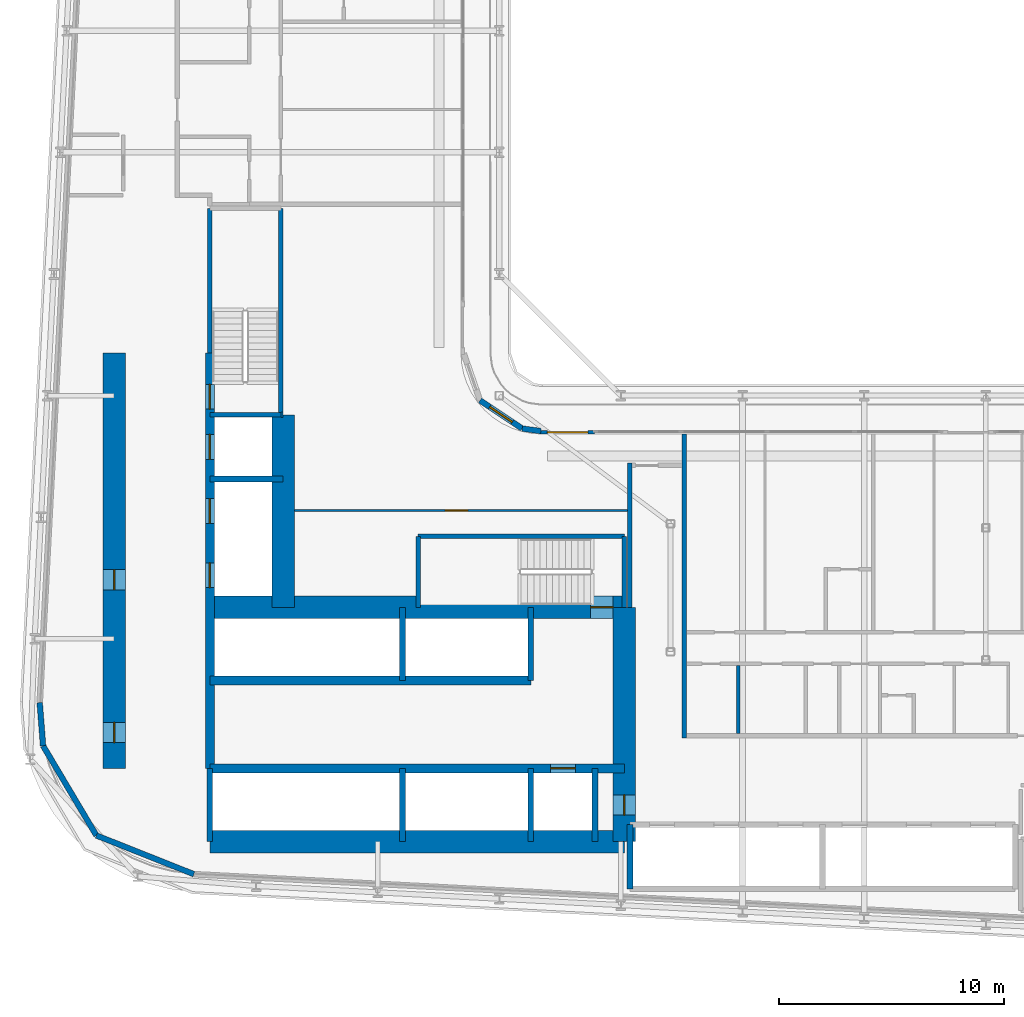
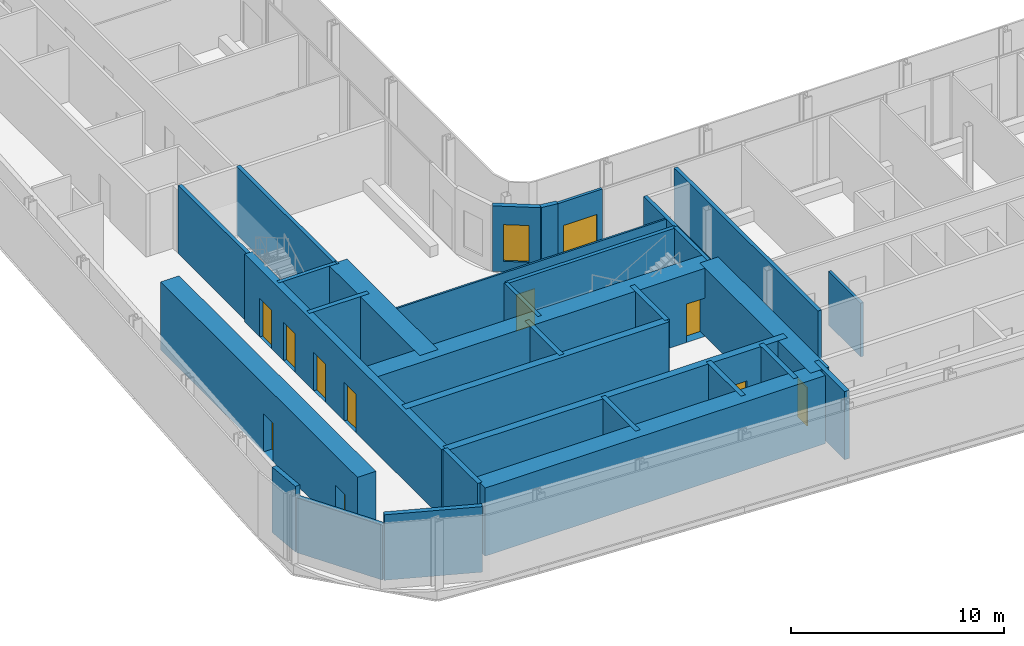
# One storey, part 14 of 29: 33 walls, 11 doors, 1 window, 12 openings.
"""IFC4 building model written with IfcOpenShell, lengths in metres."""

from ifc_helpers import new_model, si_unit, direction, frame, frame_2d, origin, place, context, subcontext, project, spatial, rectangle, extrude, source, transform, mapped, material, layer, layer_set, type_object, element, fill, save


model = new_model("IFC4")

# Units and contexts
model_context = context("Model", 3, precision=1e-05, world=origin(), true_north=direction((0.0, 1.0)))
body_context = subcontext(model_context, "Body", "Model", "MODEL_VIEW")
ifc_project = project(units=[si_unit("LENGTHUNIT", "METRE"), si_unit("AREAUNIT", "SQUARE_METRE"), si_unit("VOLUMEUNIT", "CUBIC_METRE"), si_unit("PLANEANGLEUNIT", "RADIAN"), si_unit("MASSUNIT", "GRAM", prefix="KILO")], contexts=[model_context])

# Site, building, storey
site_placement = place(None, origin())
site = spatial("IfcSite", under=ifc_project, at=site_placement, CompositionType="ELEMENT")
building_placement = place(site_placement, origin())
building = spatial("IfcBuilding", under=site, at=building_placement, Name="Kheshtan School and Residences Tower", CompositionType="ELEMENT")
storey_placement = place(building_placement, frame((0.0, 0.0, 69.5)))
storey = spatial("IfcBuildingStorey", under=building, at=storey_placement, Name="L16", CompositionType="ELEMENT", Elevation=69.5)

# Wall
ifc_material_1 = material(Name="Concrete C80/95", Category="concrete")
ifc_layer_1 = layer(ifc_material_1, 1.0)
ifc_layer_set_1 = layer_set([ifc_layer_1], Name="Core wall 1000 Concrete C80/95")
wall_type_1 = type_object("IfcWallType", Name="Core wall 1000 Concrete C80/95", PredefinedType="SHEAR", material=ifc_layer_set_1)
wall_1_placement = place(storey_placement, frame((34.75, 25.800048828125, 0.0), z_axis=(0.0, 0.0, 1.0), x_axis=(1.0, 0.0, 0.0)))
element("IfcWall", 1, at=wall_1_placement, inside=storey, type_object=wall_type_1, Name="Core wall CW-REAR-S", PredefinedType="SHEAR", context=body_context, shape_type="SweptSolid", body=[
    extrude(rectangle(XDim=18.39990234375, YDim=1.0, at=frame_2d((9.199951171875, 0.0))), origin(), (0.0, 0.0, 1.0), 3.89990234375),
])

# Wall, opening, door
wall_2_placement = place(storey_placement, frame((34.75, 36.199951171875, 0.0), z_axis=(0.0, 0.0, 1.0), x_axis=(1.0, 0.0, 0.0)))
wall_2 = element("IfcWall", 2, at=wall_2_placement, inside=storey, type_object=wall_type_1, Name="Core wall CW-FRONT-S", PredefinedType="SHEAR", context=body_context, shape_type="SweptSolid", body=[
    extrude(rectangle(XDim=18.39990234375, YDim=1.0, at=frame_2d((9.199951171875, 0.0))), origin(), (0.0, 0.0, 1.0), 3.89990234375),
])
opening_1_placement = place(wall_2_placement, frame((16.89990234375, 0.0, 0.0)))
opening_1 = element("IfcOpeningElement", 3, at=opening_1_placement, cuts=wall_2, Name="Opening ST1D", PredefinedType="OPENING", context=body_context, shape_type="SweptSolid", body=[
    extrude(rectangle(XDim=1.0, YDim=2.199951171875, at=frame_2d((0.5, 1.10009765625))), frame((0.0, 0.510009765625, 0.0), z_axis=(0.0, -1.0, 0.0), x_axis=(1.0, 0.0, 0.0)), (0.0, 0.0, 1.0), 1.02001953125),
])
ifc_material_2 = material(Name="Steel door leaf, galvanised", Category="steel")
door_type_1 = type_object("IfcDoorType", Name="Stair door 1100 steel 90 min", OperationType="SINGLE_SWING_LEFT", PredefinedType="DOOR", material=ifc_material_2)
shared_shape_1 = source(origin(), body_context, "Body", "SweptSolid", [
    extrude(rectangle(XDim=1.0, YDim=2.199951171875, at=frame_2d((0.5, 1.10009765625))), frame((0.0, 0.02490234375, 0.0), z_axis=(0.0, -1.0, 0.0), x_axis=(1.0, 0.0, 0.0)), (0.0, 0.0, 1.0), 0.050048828125),
])
door_1_placement = place(opening_1_placement, origin())
door_1 = element("IfcDoor", 4, at=door_1_placement, inside=storey, type_object=door_type_1, Name="Stair ST1 door", OperationType="SINGLE_SWING_RIGHT", OverallHeight=2.199951171875, OverallWidth=1.0, PredefinedType="DOOR", context=body_context, shape_type="MappedRepresentation", body=[
    mapped(shared_shape_1, transform((0.0, 0.0, 0.0), x_axis=(1.0, 0.0, 0.0), y_axis=(0.0, 1.0, 0.0), z_axis=(0.0, 0.0, 1.0), scale=1.0)),
])
fill(opening_1, door_1)

# Wall
wall_3_placement = place(storey_placement, frame((38.0, 36.199951171875, 0.0), z_axis=(0.0, 0.0, 1.0), x_axis=(0.0, 1.0, 0.0)))
element("IfcWall", 5, at=wall_3_placement, inside=storey, type_object=wall_type_1, Name="Core wall CW-FRONT-W", PredefinedType="SHEAR", context=body_context, shape_type="SweptSolid", body=[
    extrude(rectangle(XDim=8.550048828125, YDim=1.0, at=frame_2d((4.27490234375, 0.0))), origin(), (0.0, 0.0, 1.0), 3.89990234375),
])

# Wall, openings, doors
wall_4_placement = place(storey_placement, frame((30.5, 29.050048828125, 0.0), z_axis=(0.0, 0.0, 1.0), x_axis=(0.0, 1.0, 0.0)))
wall_4 = element("IfcWall", 6, at=wall_4_placement, inside=storey, type_object=wall_type_1, Name="Core wall CW-REAR-W", PredefinedType="SHEAR", context=body_context, shape_type="SweptSolid", body=[
    extrude(rectangle(XDim=18.449951171875, YDim=1.0, at=frame_2d((9.22509765625, 0.0))), origin(), (0.0, 0.0, 1.0), 3.89990234375),
])
opening_2_placement = place(wall_4_placement, frame((1.14697265625, 0.0, 0.0)))
opening_2 = element("IfcOpeningElement", 7, at=opening_2_placement, cuts=wall_4, Name="Opening SR90", PredefinedType="OPENING", context=body_context, shape_type="SweptSolid", body=[
    extrude(rectangle(XDim=0.89990234375, YDim=2.199951171875, at=frame_2d((0.449951171875, 1.10009765625))), frame((0.0, 0.510009765625, 0.0), z_axis=(0.0, -1.0, 0.0), x_axis=(1.0, 0.0, 0.0)), (0.0, 0.0, 1.0), 1.02001953125),
])
opening_3_placement = place(wall_4_placement, frame((7.925048828125, 0.0, 0.0)))
opening_3 = element("IfcOpeningElement", 8, at=opening_3_placement, cuts=wall_4, Name="Opening SR90", PredefinedType="OPENING", context=body_context, shape_type="SweptSolid", body=[
    extrude(rectangle(XDim=0.89990234375, YDim=2.199951171875, at=frame_2d((0.449951171875, 1.10009765625))), frame((0.0, 0.510009765625, 0.0), z_axis=(0.0, -1.0, 0.0), x_axis=(1.0, 0.0, 0.0)), (0.0, 0.0, 1.0), 1.02001953125),
])
door_type_2 = type_object("IfcDoorType", Name="Service room door 900 steel 90 min", OperationType="SINGLE_SWING_LEFT", PredefinedType="DOOR", material=ifc_material_2)
shared_shape_2 = source(origin(), body_context, "Body", "SweptSolid", [
    extrude(rectangle(XDim=0.89990234375, YDim=2.199951171875, at=frame_2d((0.449951171875, 1.10009765625))), frame((0.0, 0.02490234375, 0.0), z_axis=(0.0, -1.0, 0.0), x_axis=(1.0, 0.0, 0.0)), (0.0, 0.0, 1.0), 0.050048828125),
])
door_2_placement = place(opening_2_placement, origin())
door_2 = element("IfcDoor", 9, at=door_2_placement, inside=storey, type_object=door_type_2, Name="Service room door", OperationType="SINGLE_SWING_LEFT", OverallHeight=2.199951171875, OverallWidth=0.89990234375, PredefinedType="DOOR", context=body_context, shape_type="MappedRepresentation", body=[
    mapped(shared_shape_2, transform((0.0, 0.0, 0.0), x_axis=(1.0, 0.0, 0.0), y_axis=(0.0, 1.0, 0.0), z_axis=(0.0, 0.0, 1.0), scale=1.0)),
])
fill(opening_2, door_2)
door_3_placement = place(opening_3_placement, origin())
door_3 = element("IfcDoor", 10, at=door_3_placement, inside=storey, type_object=door_type_2, Name="Service room door", OperationType="SINGLE_SWING_LEFT", OverallHeight=2.199951171875, OverallWidth=0.89990234375, PredefinedType="DOOR", context=body_context, shape_type="MappedRepresentation", body=[
    mapped(shared_shape_2, transform((0.0, 0.0, 0.0), x_axis=(1.0, 0.0, 0.0), y_axis=(0.0, 1.0, 0.0), z_axis=(0.0, 0.0, 1.0), scale=1.0)),
])
fill(opening_3, door_3)

# Wall, opening, door
wall_5_placement = place(storey_placement, frame((53.14990234375, 25.800048828125, 0.0), z_axis=(0.0, 0.0, 1.0), x_axis=(0.0, 1.0, 0.0)))
wall_5 = element("IfcWall", 11, at=wall_5_placement, inside=storey, type_object=wall_type_1, Name="Core wall CW-EAST", PredefinedType="SHEAR", context=body_context, shape_type="SweptSolid", body=[
    extrude(rectangle(XDim=10.39990234375, YDim=1.0, at=frame_2d((5.199951171875, 0.0))), origin(), (0.0, 0.0, 1.0), 3.89990234375),
])
opening_4_placement = place(wall_5_placement, frame((1.175048828125, 0.0, 0.0)))
opening_4 = element("IfcOpeningElement", 12, at=opening_4_placement, cuts=wall_5, Name="Opening SR90", PredefinedType="OPENING", context=body_context, shape_type="SweptSolid", body=[
    extrude(rectangle(XDim=0.89990234375, YDim=2.199951171875, at=frame_2d((0.449951171875, 1.10009765625))), frame((0.0, 0.510009765625, 0.0), z_axis=(0.0, -1.0, 0.0), x_axis=(1.0, 0.0, 0.0)), (0.0, 0.0, 1.0), 1.02001953125),
])
door_4_placement = place(opening_4_placement, origin())
door_4 = element("IfcDoor", 13, at=door_4_placement, inside=storey, type_object=door_type_2, Name="Service room door", OperationType="SINGLE_SWING_RIGHT", OverallHeight=2.199951171875, OverallWidth=0.89990234375, PredefinedType="DOOR", context=body_context, shape_type="MappedRepresentation", body=[
    mapped(shared_shape_2, transform((0.0, 0.0, 0.0), x_axis=(1.0, 0.0, 0.0), y_axis=(0.0, 1.0, 0.0), z_axis=(0.0, 0.0, 1.0), scale=1.0)),
])
fill(opening_4, door_4)

ifc_material_3 = material(Name="Concrete C50/60", Category="concrete")
ifc_layer_2 = layer(ifc_material_3, 0.39990234375)
ifc_layer_set_2 = layer_set([ifc_layer_2], Name="Core wall 400 Concrete C50/60")
wall_type_2 = type_object("IfcWallType", Name="Core wall 400 Concrete C50/60", PredefinedType="SHEAR", material=ifc_layer_set_2)
wall_6_placement = place(storey_placement, frame((34.75, 29.050048828125, 0.0), z_axis=(0.0, 0.0, 1.0), x_axis=(1.0, 0.0, 0.0)))
wall_6 = element("IfcWall", 14, at=wall_6_placement, inside=storey, type_object=wall_type_2, Name="Core wall CW-HALL-S1", PredefinedType="SHEAR", context=body_context, shape_type="SweptSolid", body=[
    extrude(rectangle(XDim=18.39990234375, YDim=0.39990234375, at=frame_2d((9.199951171875, 0.0))), origin(), (0.0, 0.0, 1.0), 3.89990234375),
])
opening_5_placement = place(wall_6_placement, frame((15.125, 0.0, 0.0)))
opening_5 = element("IfcOpeningElement", 15, at=opening_5_placement, cuts=wall_6, Name="Opening LD", PredefinedType="OPENING", context=body_context, shape_type="SweptSolid", body=[
    extrude(rectangle(XDim=1.10009765625, YDim=2.199951171875, at=frame_2d((0.550048828125, 1.10009765625))), frame((0.0, 0.2099609375, 0.0), z_axis=(0.0, -1.0, 0.0), x_axis=(1.0, 0.0, 0.0)), (0.0, 0.0, 1.0), 0.419921875),
])
ifc_material_4 = material(Name="Stainless steel door leaves", Category="steel")
door_type_3 = type_object("IfcDoorType", Name="Lift landing door 1100", OperationType="SLIDING_TO_LEFT", PredefinedType="DOOR", material=ifc_material_4)
shared_shape_3 = source(origin(), body_context, "Body", "SweptSolid", [
    extrude(rectangle(XDim=1.10009765625, YDim=2.199951171875, at=frame_2d((0.550048828125, 1.10009765625))), frame((0.0, 0.02490234375, 0.0), z_axis=(0.0, -1.0, 0.0), x_axis=(1.0, 0.0, 0.0)), (0.0, 0.0, 1.0), 0.050048828125),
])
door_5_placement = place(opening_5_placement, origin())
door_5 = element("IfcDoor", 16, at=door_5_placement, inside=storey, type_object=door_type_3, Name="Lift FFL2 landing door", OperationType="SLIDING_TO_LEFT", OverallHeight=2.199951171875, OverallWidth=1.10009765625, PredefinedType="DOOR", context=body_context, shape_type="MappedRepresentation", body=[
    mapped(shared_shape_3, transform((0.0, 0.0, 0.0), x_axis=(1.0, 0.0, 0.0), y_axis=(0.0, 1.0, 0.0), z_axis=(0.0, 0.0, 1.0), scale=1.0)),
])
fill(opening_5, door_5)

# Wall
wall_7_placement = place(storey_placement, frame((34.75, 32.949951171875, 0.0), z_axis=(0.0, 0.0, 1.0), x_axis=(1.0, 0.0, 0.0)))
element("IfcWall", 17, at=wall_7_placement, inside=storey, type_object=wall_type_2, Name="Core wall CW-HALL-S2", PredefinedType="SHEAR", context=body_context, shape_type="SweptSolid", body=[
    extrude(rectangle(XDim=14.25, YDim=0.39990234375, at=frame_2d((7.125, 0.0))), origin(), (0.0, 0.0, 1.0), 3.89990234375),
])

# Wall, openings, doors
wall_8_placement = place(storey_placement, frame((34.75, 29.050048828125, 0.0), z_axis=(0.0, 0.0, 1.0), x_axis=(0.0, 1.0, 0.0)))
wall_8 = element("IfcWall", 18, at=wall_8_placement, inside=storey, type_object=wall_type_2, Name="Core wall CW-HALL-W1", PredefinedType="SHEAR", context=body_context, shape_type="SweptSolid", body=[
    extrude(rectangle(XDim=18.449951171875, YDim=0.39990234375, at=frame_2d((9.22509765625, 0.0))), origin(), (0.0, 0.0, 1.0), 3.89990234375),
])
opening_6_placement = place(wall_8_placement, frame((8.02490234375, 0.0, 0.0)))
opening_6 = element("IfcOpeningElement", 19, at=opening_6_placement, cuts=wall_8, Name="Opening LD", PredefinedType="OPENING", context=body_context, shape_type="SweptSolid", body=[
    extrude(rectangle(XDim=1.10009765625, YDim=2.199951171875, at=frame_2d((0.550048828125, 1.10009765625))), frame((0.0, 0.2099609375, 0.0), z_axis=(0.0, -1.0, 0.0), x_axis=(1.0, 0.0, 0.0)), (0.0, 0.0, 1.0), 0.419921875),
])
opening_7_placement = place(wall_8_placement, frame((10.875, 0.0, 0.0)))
opening_7 = element("IfcOpeningElement", 20, at=opening_7_placement, cuts=wall_8, Name="Opening LD", PredefinedType="OPENING", context=body_context, shape_type="SweptSolid", body=[
    extrude(rectangle(XDim=1.10009765625, YDim=2.199951171875, at=frame_2d((0.550048828125, 1.10009765625))), frame((0.0, 0.2099609375, 0.0), z_axis=(0.0, -1.0, 0.0), x_axis=(1.0, 0.0, 0.0)), (0.0, 0.0, 1.0), 0.419921875),
])
opening_8_placement = place(wall_8_placement, frame((13.72509765625, 0.0, 0.0)))
opening_8 = element("IfcOpeningElement", 21, at=opening_8_placement, cuts=wall_8, Name="Opening LD", PredefinedType="OPENING", context=body_context, shape_type="SweptSolid", body=[
    extrude(rectangle(XDim=1.10009765625, YDim=2.199951171875, at=frame_2d((0.550048828125, 1.10009765625))), frame((0.0, 0.2099609375, 0.0), z_axis=(0.0, -1.0, 0.0), x_axis=(1.0, 0.0, 0.0)), (0.0, 0.0, 1.0), 0.419921875),
])
opening_9_placement = place(wall_8_placement, frame((15.949951171875, 0.0, 0.0)))
opening_9 = element("IfcOpeningElement", 22, at=opening_9_placement, cuts=wall_8, Name="Opening ST2D", PredefinedType="OPENING", context=body_context, shape_type="SweptSolid", body=[
    extrude(rectangle(XDim=1.10009765625, YDim=2.199951171875, at=frame_2d((0.550048828125, 1.10009765625))), frame((0.0, 0.2099609375, 0.0), z_axis=(0.0, -1.0, 0.0), x_axis=(1.0, 0.0, 0.0)), (0.0, 0.0, 1.0), 0.419921875),
])
door_6_placement = place(opening_6_placement, origin())
door_6 = element("IfcDoor", 23, at=door_6_placement, inside=storey, type_object=door_type_3, Name="Lift SV1 landing door", OperationType="SLIDING_TO_LEFT", OverallHeight=2.199951171875, OverallWidth=1.10009765625, PredefinedType="DOOR", context=body_context, shape_type="MappedRepresentation", body=[
    mapped(shared_shape_3, transform((0.0, 0.0, 0.0), x_axis=(1.0, 0.0, 0.0), y_axis=(0.0, 1.0, 0.0), z_axis=(0.0, 0.0, 1.0), scale=1.0)),
])
fill(opening_6, door_6)
door_7_placement = place(opening_7_placement, origin())
door_7 = element("IfcDoor", 24, at=door_7_placement, inside=storey, type_object=door_type_3, Name="Lift SV2 landing door", OperationType="SLIDING_TO_LEFT", OverallHeight=2.199951171875, OverallWidth=1.10009765625, PredefinedType="DOOR", context=body_context, shape_type="MappedRepresentation", body=[
    mapped(shared_shape_3, transform((0.0, 0.0, 0.0), x_axis=(1.0, 0.0, 0.0), y_axis=(0.0, 1.0, 0.0), z_axis=(0.0, 0.0, 1.0), scale=1.0)),
])
fill(opening_7, door_7)
door_8_placement = place(opening_8_placement, origin())
door_8 = element("IfcDoor", 25, at=door_8_placement, inside=storey, type_object=door_type_3, Name="Lift FFL1 landing door", OperationType="SLIDING_TO_LEFT", OverallHeight=2.199951171875, OverallWidth=1.10009765625, PredefinedType="DOOR", context=body_context, shape_type="MappedRepresentation", body=[
    mapped(shared_shape_3, transform((0.0, 0.0, 0.0), x_axis=(1.0, 0.0, 0.0), y_axis=(0.0, 1.0, 0.0), z_axis=(0.0, 0.0, 1.0), scale=1.0)),
])
fill(opening_8, door_8)
shared_shape_4 = source(origin(), body_context, "Body", "SweptSolid", [
    extrude(rectangle(XDim=1.10009765625, YDim=2.199951171875, at=frame_2d((0.550048828125, 1.10009765625))), frame((0.0, 0.02490234375, 0.0), z_axis=(0.0, -1.0, 0.0), x_axis=(1.0, 0.0, 0.0)), (0.0, 0.0, 1.0), 0.050048828125),
])
door_9_placement = place(opening_9_placement, origin())
door_9 = element("IfcDoor", 26, at=door_9_placement, inside=storey, type_object=door_type_1, Name="Stair ST2 door", OperationType="SINGLE_SWING_RIGHT", OverallHeight=2.199951171875, OverallWidth=1.10009765625, PredefinedType="DOOR", context=body_context, shape_type="MappedRepresentation", body=[
    mapped(shared_shape_4, transform((0.0, 0.0, 0.0), x_axis=(1.0, 0.0, 0.0), y_axis=(0.0, 1.0, 0.0), z_axis=(0.0, 0.0, 1.0), scale=1.0)),
])
fill(opening_9, door_9)

# Walls
ifc_material_5 = material(Name="Gypsum board on steel studs with fire boards", Category="steel")
ifc_layer_3 = layer(ifc_material_5, 0.199951171875)
ifc_layer_set_3 = layer_set([ifc_layer_3], Name="Corridor wall 200")
wall_type_3 = type_object("IfcWallType", Name="Corridor wall 200", PredefinedType="PARTITIONING", material=ifc_layer_set_3)
wall_9_placement = place(storey_placement, frame((53.39990234375, 36.198974609375, 0.0), z_axis=(0.0, 0.0, 1.0), x_axis=(0.0, 1.0, 0.0)))
element("IfcWall", 27, at=wall_9_placement, inside=storey, type_object=wall_type_3, Name="Partition L16-038", PredefinedType="PARTITIONING", context=body_context, shape_type="SweptSolid", body=[
    extrude(rectangle(XDim=6.401123046875, YDim=0.199951171875, at=frame_2d((3.20068359375, 0.0))), origin(), (0.0, 0.0, 1.0), 3.60009765625),
])
ifc_material_6 = material(Name="Concrete C40/50 with ceramic cladding and mineral wool insulation", Category="concrete")
ifc_layer_4 = layer(ifc_material_6, 0.25)
ifc_layer_set_4 = layer_set([ifc_layer_4], Name="External wall 250 ceramic clad")
wall_type_4 = type_object("IfcWallType", Name="External wall 250 ceramic clad", PredefinedType="SOLIDWALL", material=ifc_layer_set_4)
wall_10_placement = place(storey_placement, frame((34.0390625, 24.35302734375, 0.0), z_axis=(0.0, 0.0, 1.0), x_axis=(-0.929352825399, 0.369192803184, 0.0)))
element("IfcWall", 28, at=wall_10_placement, inside=storey, type_object=wall_type_4, Name="External wall L16 1", PredefinedType="SOLIDWALL", context=body_context, shape_type="SweptSolid", body=[
    extrude(rectangle(XDim=4.656005859375, YDim=0.25, at=frame_2d((2.328125, 0.0))), origin(), (0.0, 0.0, 1.0), 3.75),
])
wall_11_placement = place(storey_placement, frame((29.7119140625, 26.072021484375, 0.0), z_axis=(0.0, 0.0, 1.0), x_axis=(-0.511028049012, 0.859564036662, 0.0)))
element("IfcWall", 29, at=wall_11_placement, inside=storey, type_object=wall_type_4, Name="External wall L16 2", PredefinedType="SOLIDWALL", context=body_context, shape_type="SweptSolid", body=[
    extrude(rectangle(XDim=4.633544921875, YDim=0.25, at=frame_2d((2.31689453125, 0.0))), origin(), (0.0, 0.0, 1.0), 3.133056640625),
])
wall_12_placement = place(storey_placement, frame((27.343994140625, 30.054931640625, 0.0), z_axis=(0.0, 0.0, 1.0), x_axis=(-0.077571675317, 0.99698677784, 0.0)))
element("IfcWall", 30, at=wall_12_placement, inside=storey, type_object=wall_type_4, Name="External wall L16 3", PredefinedType="SOLIDWALL", context=body_context, shape_type="SweptSolid", body=[
    extrude(rectangle(XDim=1.919921875, YDim=0.25, at=frame_2d((0.9599609375, 0.0))), origin(), (0.0, 0.0, 1.0), 3.75),
])

# Wall, opening, window
wall_13_placement = place(storey_placement, frame((46.742919921875, 45.388916015625, 0.0), z_axis=(0.0, 0.0, 1.0), x_axis=(0.831449265529, -0.555600682912, 0.0)))
wall_13 = element("IfcWall", 31, at=wall_13_placement, inside=storey, type_object=wall_type_4, Name="External wall L16 10", PredefinedType="SOLIDWALL", context=body_context, shape_type="SweptSolid", body=[
    extrude(rectangle(XDim=2.25146484375, YDim=0.25, at=frame_2d((1.125732421875, 0.0))), origin(), (0.0, 0.0, 1.0), 3.75),
])
opening_10_placement = place(wall_13_placement, frame((0.52490234375, 0.0, 0.60009765625)))
opening_10 = element("IfcOpeningElement", 32, at=opening_10_placement, cuts=wall_13, Name="Opening WN-E", PredefinedType="OPENING", context=body_context, shape_type="SweptSolid", body=[
    extrude(rectangle(XDim=1.199951171875, YDim=2.10009765625, at=frame_2d((0.60009765625, 1.050048828125))), frame((0.0, 0.135009765625, 0.0), z_axis=(0.0, -1.0, 0.0), x_axis=(1.0, 0.0, 0.0)), (0.0, 0.0, 1.0), 0.27001953125),
])
ifc_material_7 = material(Name="Clear low-e glass in thermally broken aluminium frame", Category="aluminium")
window_type = type_object("IfcWindowType", Name="Window WN-E", PartitioningType="SINGLE_PANEL", PredefinedType="WINDOW", material=ifc_material_7)
shared_shape_5 = source(origin(), body_context, "Body", "SweptSolid", [
    extrude(rectangle(XDim=1.199951171875, YDim=2.10009765625, at=frame_2d((0.60009765625, 1.050048828125))), frame((0.0, 0.030029296875, 0.0), z_axis=(0.0, -1.0, 0.0), x_axis=(1.0, 0.0, 0.0)), (0.0, 0.0, 1.0), 0.06005859375),
])
window_placement = place(opening_10_placement, origin())
window = element("IfcWindow", 33, at=window_placement, inside=storey, type_object=window_type, Name="Window L16 10", OverallHeight=2.10009765625, OverallWidth=1.199951171875, PartitioningType="SINGLE_PANEL", PredefinedType="WINDOW", context=body_context, shape_type="MappedRepresentation", body=[
    mapped(shared_shape_5, transform((0.0, 0.0, 0.0), x_axis=(1.0, 0.0, 0.0), y_axis=(0.0, 1.0, 0.0), z_axis=(0.0, 0.0, 1.0), scale=1.0)),
])
fill(opening_10, window)

# Wall
wall_14_placement = place(storey_placement, frame((48.614990234375, 44.137939453125, 0.0), z_axis=(0.0, 0.0, 1.0), x_axis=(0.990741504246, -0.135761819977, 0.0)))
element("IfcWall", 34, at=wall_14_placement, inside=storey, type_object=wall_type_4, Name="External wall L16 11", PredefinedType="SOLIDWALL", context=body_context, shape_type="SweptSolid", body=[
    extrude(rectangle(XDim=0.83984375, YDim=0.25, at=frame_2d((0.419921875, 0.0))), origin(), (0.0, 0.0, 1.0), 3.75),
])

# Wall, opening, door
ifc_material_8 = material(Name="Aluminium frame wall with insulated infill", Category="aluminium")
ifc_layer_5 = layer(ifc_material_8, 0.14990234375)
ifc_layer_set_5 = layer_set([ifc_layer_5], Name="Glazing frame wall 150")
wall_type_5 = type_object("IfcWallType", Name="Glazing frame wall 150", PredefinedType="SOLIDWALL", material=ifc_layer_set_5)
wall_15_placement = place(storey_placement, frame((49.429931640625, 43.97509765625, 0.0), z_axis=(0.0, 0.0, 1.0), x_axis=(1.0, 0.0, 0.0)))
wall_15 = element("IfcWall", 35, at=wall_15_placement, inside=storey, type_object=wall_type_5, Name="Balcony door wall L16 12.1", PredefinedType="SOLIDWALL", context=body_context, shape_type="SweptSolid", body=[
    extrude(rectangle(XDim=2.400146484375, YDim=0.14990234375, at=frame_2d((1.2001953125, 0.0))), origin(), (0.0, 0.0, 1.0), 3.75),
])
opening_11_placement = place(wall_15_placement, frame((0.300048828125, 0.0, 0.0)))
opening_11 = element("IfcOpeningElement", 36, at=opening_11_placement, cuts=wall_15, Name="Opening BD", PredefinedType="OPENING", context=body_context, shape_type="SweptSolid", body=[
    extrude(rectangle(XDim=1.800048828125, YDim=2.39990234375, at=frame_2d((0.89990234375, 1.199951171875))), frame((0.0, 0.0849609375, 0.0), z_axis=(0.0, -1.0, 0.0), x_axis=(1.0, 0.0, 0.0)), (0.0, 0.0, 1.0), 0.169921875),
])
door_type_4 = type_object("IfcDoorType", Name="Balcony sliding door", OperationType="SLIDING_TO_LEFT", PredefinedType="DOOR", material=ifc_material_7)
shared_shape_6 = source(origin(), body_context, "Body", "SweptSolid", [
    extrude(rectangle(XDim=1.800048828125, YDim=2.39990234375, at=frame_2d((0.89990234375, 1.199951171875))), frame((0.0, 0.02490234375, 0.0), z_axis=(0.0, -1.0, 0.0), x_axis=(1.0, 0.0, 0.0)), (0.0, 0.0, 1.0), 0.050048828125),
])
door_10_placement = place(opening_11_placement, origin())
door_10 = element("IfcDoor", 37, at=door_10_placement, inside=storey, type_object=door_type_4, Name="Balcony door L16 12.1", OperationType="SLIDING_TO_LEFT", OverallHeight=2.39990234375, OverallWidth=1.800048828125, PredefinedType="DOOR", context=body_context, shape_type="MappedRepresentation", body=[
    mapped(shared_shape_6, transform((0.0, 0.0, 0.0), x_axis=(1.0, 0.0, 0.0), y_axis=(0.0, 1.0, 0.0), z_axis=(0.0, 0.0, 1.0), scale=1.0)),
])
fill(opening_11, door_10)

ifc_material_9 = material(Name="Gypsum board on steel studs", Category="steel")
ifc_layer_6 = layer(ifc_material_9, 0.10009765625)
ifc_layer_set_6 = layer_set([ifc_layer_6], Name="Gypsum partition 100")
wall_type_6 = type_object("IfcWallType", Name="Gypsum partition 100", PredefinedType="PARTITIONING", material=ifc_layer_set_6)
wall_16_placement = place(storey_placement, frame((38.4990234375, 40.5, 0.0), z_axis=(0.0, 0.0, 1.0), x_axis=(1.0, 0.0, 0.0)))
wall_16 = element("IfcWall", 38, at=wall_16_placement, inside=storey, type_object=wall_type_6, Name="Partition L16-036", PredefinedType="PARTITIONING", context=body_context, shape_type="SweptSolid", body=[
    extrude(rectangle(XDim=14.801025390625, YDim=0.10009765625, at=frame_2d((7.400390625, 0.0))), origin(), (0.0, 0.0, 1.0), 3.60009765625),
])
opening_12_placement = place(wall_16_placement, frame((6.700927734375, 0.0, 0.0)))
opening_12 = element("IfcOpeningElement", 39, at=opening_12_placement, cuts=wall_16, Name="Opening D14-057", PredefinedType="OPENING", context=body_context, shape_type="SweptSolid", body=[
    extrude(rectangle(XDim=1.0, YDim=2.10009765625, at=frame_2d((0.5, 1.050048828125))), frame((0.0, 0.06005859375, 0.0), z_axis=(0.0, -1.0, 0.0), x_axis=(1.0, 0.0, 0.0)), (0.0, 0.0, 1.0), 0.1201171875),
])
ifc_material_10 = material(Name="Veneered timber door leaf", Category="wood")
door_type_5 = type_object("IfcDoorType", Name="Door 1000 x 2100", OperationType="SINGLE_SWING_LEFT", PredefinedType="DOOR", material=ifc_material_10)
shared_shape_7 = source(origin(), body_context, "Body", "SweptSolid", [
    extrude(rectangle(XDim=1.0, YDim=2.10009765625, at=frame_2d((0.5, 1.050048828125))), frame((0.0, 0.02490234375, 0.0), z_axis=(0.0, -1.0, 0.0), x_axis=(1.0, 0.0, 0.0)), (0.0, 0.0, 1.0), 0.050048828125),
])
door_11_placement = place(opening_12_placement, origin())
door_11 = element("IfcDoor", 40, at=door_11_placement, inside=storey, type_object=door_type_5, Name="Door D14-057", OperationType="SINGLE_SWING_RIGHT", OverallHeight=2.10009765625, OverallWidth=1.0, PredefinedType="DOOR", context=body_context, shape_type="MappedRepresentation", body=[
    mapped(shared_shape_7, transform((0.0, 0.0, 0.0), x_axis=(1.0, 0.0, 0.0), y_axis=(0.0, 1.0, 0.0), z_axis=(0.0, 0.0, 1.0), scale=1.0)),
])
fill(opening_12, door_11)

# Walls
ifc_material_11 = material(Name="Fire-board shaft wall system")
ifc_layer_7 = layer(ifc_material_11, 0.25)
ifc_layer_set_7 = layer_set([ifc_layer_7], Name="Shaft lining wall 250")
wall_type_7 = type_object("IfcWallType", Name="Shaft lining wall 250", PredefinedType="PARTITIONING", material=ifc_layer_set_7)
for number, where, z_axis, x_axis, name in (
    (41, (34.75, 25.800048828125, 0.0), (0.0, 0.0, 1.0), (0.0, 1.0, 0.0), "Shaft lining wall"),
    (42, (43.300048828125, 25.800048828125, 0.0), (0.0, 0.0, 1.0), (0.0, 1.0, 0.0), "Shaft lining wall"),
    (43, (43.300048828125, 32.949951171875, 0.0), (0.0, 0.0, 1.0), (0.0, 1.0, 0.0), "Shaft lining wall"),
    (44, (49.0, 25.800048828125, 0.0), (0.0, 0.0, 1.0), (0.0, 1.0, 0.0), "Shaft lining wall"),
    (45, (49.0, 32.949951171875, 0.0), (0.0, 0.0, 1.0), (0.0, 1.0, 0.0), "Shaft lining wall"),
    (46, (51.85009765625, 25.800048828125, 0.0), (0.0, 0.0, 1.0), (0.0, 1.0, 0.0), "Shaft lining wall"),
):
    element("IfcWall", number, at=place(storey_placement, frame(where, z_axis=z_axis, x_axis=x_axis)), inside=storey, type_object=wall_type_7, Name=name, PredefinedType="PARTITIONING", context=body_context, shape_type="SweptSolid", body=[
        extrude(rectangle(XDim=3.25, YDim=0.25, at=frame_2d((1.625, 0.0))), origin(), (0.0, 0.0, 1.0), 3.89990234375),
    ])
wall_17_placement = place(storey_placement, frame((53.39990234375, 23.699951171875, 0.0), z_axis=(0.0, 0.0, 1.0), x_axis=(0.0, 1.0, 0.0)))
element("IfcWall", 47, at=wall_17_placement, inside=storey, type_object=wall_type_7, Name="Shaft lining wall", PredefinedType="PARTITIONING", context=body_context, shape_type="SweptSolid", body=[
    extrude(rectangle(XDim=2.85009765625, YDim=0.25, at=frame_2d((1.425048828125, 0.0))), origin(), (0.0, 0.0, 1.0), 3.89990234375),
])
wall_18_placement = place(storey_placement, frame((34.75, 41.89990234375, 0.0), z_axis=(0.0, 0.0, 1.0), x_axis=(1.0, 0.0, 0.0)))
element("IfcWall", 48, at=wall_18_placement, inside=storey, type_object=wall_type_7, Name="Shaft lining wall", PredefinedType="PARTITIONING", context=body_context, shape_type="SweptSolid", body=[
    extrude(rectangle(XDim=3.25, YDim=0.25, at=frame_2d((1.625, 0.0))), origin(), (0.0, 0.0, 1.0), 3.89990234375),
])
wall_19_placement = place(storey_placement, frame((37.89990234375, 44.75, 0.0), z_axis=(0.0, 0.0, 1.0), x_axis=(1.0, 0.0, 0.0)))
element("IfcWall", 49, at=wall_19_placement, inside=storey, type_object=wall_type_7, Name="Shaft lining wall", PredefinedType="PARTITIONING", context=body_context, shape_type="SweptSolid", body=[
    extrude(rectangle(XDim=0.10009765625, YDim=0.25, at=frame_2d((0.050048828125, 0.0))), origin(), (0.0, 0.0, 1.0), 3.89990234375),
])
ifc_material_12 = material(Name="Concrete C40/50", Category="concrete")
ifc_layer_8 = layer(ifc_material_12, 0.199951171875)
ifc_layer_set_8 = layer_set([ifc_layer_8], Name="Stair enclosure wall 200 Concrete C40/50")
wall_type_8 = type_object("IfcWallType", Name="Stair enclosure wall 200 Concrete C40/50", PredefinedType="SHEAR", material=ifc_layer_set_8)
wall_20_placement = place(storey_placement, frame((43.989990234375, 39.35009765625, 0.0), z_axis=(0.0, 0.0, 1.0), x_axis=(1.0, 0.0, 0.0)))
element("IfcWall", 50, at=wall_20_placement, inside=storey, type_object=wall_type_8, Name="Stair enclosure wall ST1", PredefinedType="SHEAR", context=body_context, shape_type="SweptSolid", body=[
    extrude(rectangle(XDim=9.159912109375, YDim=0.199951171875, at=frame_2d((4.580078125, 0.0))), origin(), (0.0, 0.0, 1.0), 3.89990234375),
])
for number, where, z_axis, x_axis, name in (
    (51, (43.989990234375, 36.199951171875, 0.0), (0.0, 0.0, 1.0), (0.0, 1.0, 0.0), "Stair enclosure wall ST1"),
    (52, (53.14990234375, 36.199951171875, 0.0), (0.0, 0.0, 1.0), (0.0, 1.0, 0.0), "Stair enclosure wall ST1"),
):
    element("IfcWall", number, at=place(storey_placement, frame(where, z_axis=z_axis, x_axis=x_axis)), inside=storey, type_object=wall_type_8, Name=name, PredefinedType="SHEAR", context=body_context, shape_type="SweptSolid", body=[
        extrude(rectangle(XDim=3.150146484375, YDim=0.199951171875, at=frame_2d((1.5751953125, 0.0))), origin(), (0.0, 0.0, 1.0), 3.89990234375),
    ])
wall_21_placement = place(storey_placement, frame((34.75, 44.75, 0.0), z_axis=(0.0, 0.0, 1.0), x_axis=(1.0, 0.0, 0.0)))
element("IfcWall", 53, at=wall_21_placement, inside=storey, type_object=wall_type_8, Name="Stair enclosure wall ST2", PredefinedType="SHEAR", context=body_context, shape_type="SweptSolid", body=[
    extrude(rectangle(XDim=3.14990234375, YDim=0.199951171875, at=frame_2d((1.574951171875, 0.0))), origin(), (0.0, 0.0, 1.0), 3.89990234375),
])
wall_22_placement = place(storey_placement, frame((34.75, 47.5, 0.0), z_axis=(0.0, 0.0, 1.0), x_axis=(0.0, 1.0, 0.0)))
element("IfcWall", 54, at=wall_22_placement, inside=storey, type_object=wall_type_8, Name="Stair enclosure wall ST2", PredefinedType="SHEAR", context=body_context, shape_type="SweptSolid", body=[
    extrude(rectangle(XDim=6.409912109375, YDim=0.199951171875, at=frame_2d((3.205078125, 0.0))), origin(), (0.0, 0.0, 1.0), 3.89990234375),
])
wall_23_placement = place(storey_placement, frame((37.89990234375, 44.75, 0.0), z_axis=(0.0, 0.0, 1.0), x_axis=(0.0, 1.0, 0.0)))
element("IfcWall", 55, at=wall_23_placement, inside=storey, type_object=wall_type_8, Name="Stair enclosure wall ST2", PredefinedType="SHEAR", context=body_context, shape_type="SweptSolid", body=[
    extrude(rectangle(XDim=9.159912109375, YDim=0.199951171875, at=frame_2d((4.580078125, 0.0))), origin(), (0.0, 0.0, 1.0), 3.89990234375),
])
ifc_material_13 = material(Name="Twin gypsum board on steel studs with mineral wool", Category="steel")
ifc_layer_9 = layer(ifc_material_13, 0.199951171875)
ifc_layer_set_9 = layer_set([ifc_layer_9], Name="Unit demising wall 200")
wall_type_9 = type_object("IfcWallType", Name="Unit demising wall 200", PredefinedType="PARTITIONING", material=ifc_layer_set_9)
wall_24_placement = place(storey_placement, frame((55.800048828125, 30.39990234375, 0.0), z_axis=(0.0, 0.0, 1.0), x_axis=(0.0, 1.0, 0.0)))
element("IfcWall", 56, at=wall_24_placement, inside=storey, type_object=wall_type_9, Name="Partition L16-040", PredefinedType="PARTITIONING", context=body_context, shape_type="SweptSolid", body=[
    extrude(rectangle(XDim=13.5, YDim=0.199951171875, at=frame_2d((6.75, 0.0))), origin(), (0.0, 0.0, 1.0), 3.60009765625),
])
ifc_material_14 = material(Name="Moisture-resistant gypsum board on steel studs", Category="steel")
ifc_layer_10 = layer(ifc_material_14, 0.14990234375)
ifc_layer_set_10 = layer_set([ifc_layer_10], Name="Wet-room partition 150")
wall_type_10 = type_object("IfcWallType", Name="Wet-room partition 150", PredefinedType="PARTITIONING", material=ifc_layer_set_10)
wall_25_placement = place(storey_placement, frame((58.199951171875, 30.60009765625, 0.0), z_axis=(0.0, 0.0, 1.0), x_axis=(0.0, 1.0, 0.0)))
element("IfcWall", 57, at=wall_25_placement, inside=storey, type_object=wall_type_10, Name="Partition L16-044", PredefinedType="PARTITIONING", context=body_context, shape_type="SweptSolid", body=[
    extrude(rectangle(XDim=3.02490234375, YDim=0.14990234375, at=frame_2d((1.512451171875, 0.0))), origin(), (0.0, 0.0, 1.0), 3.072021484375),
])

save(model, "model.ifc")
